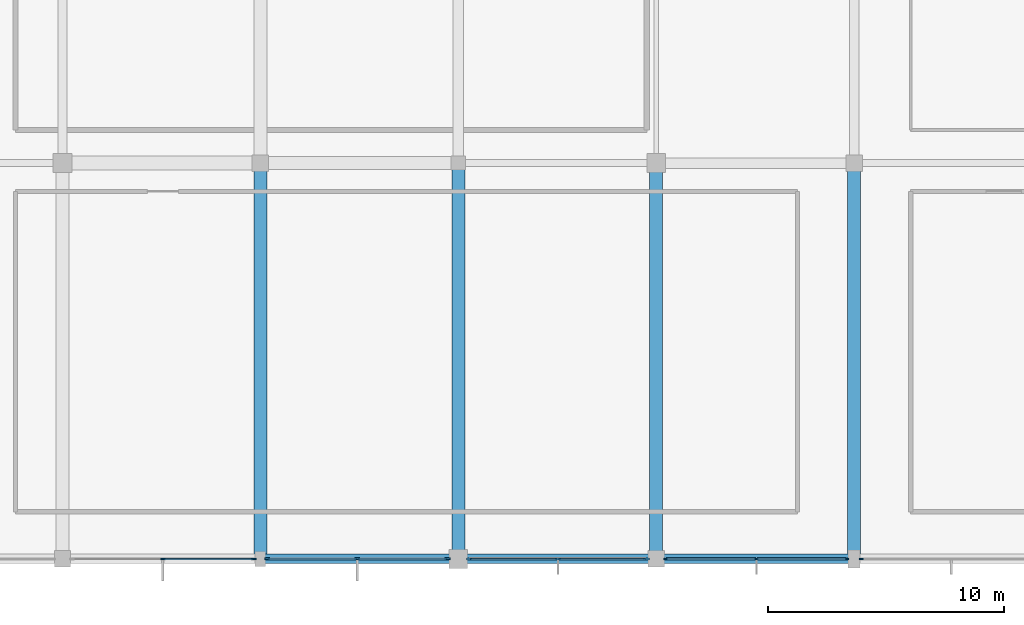
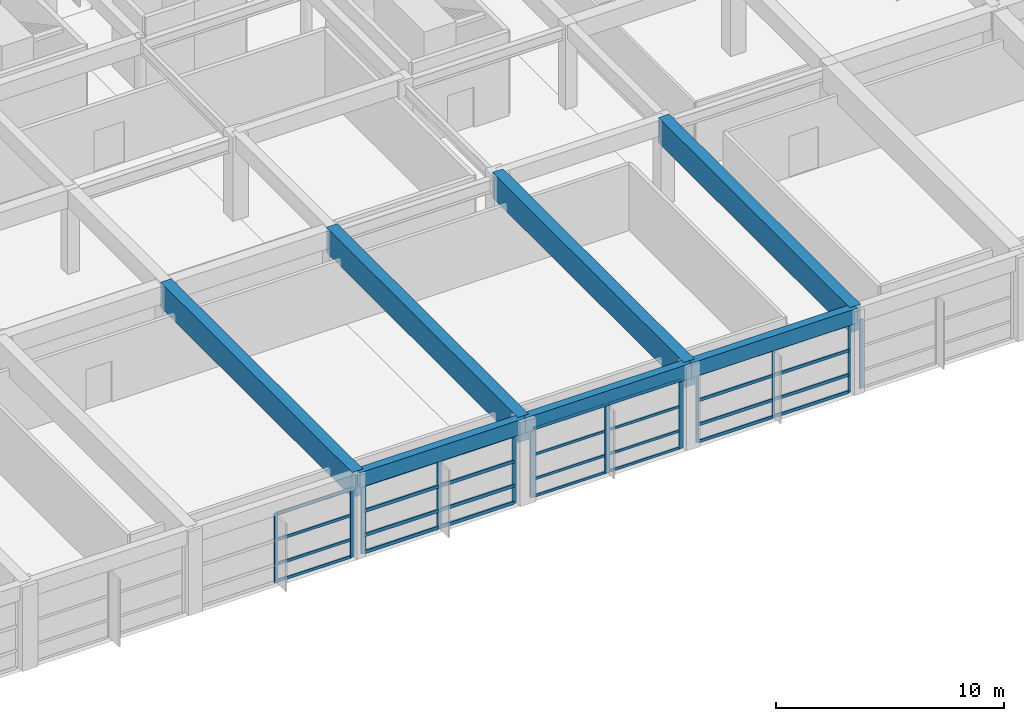
# One storey, part 18 of 65: 40 members, 7 beams, 5 elements without a shape of their own.
"""IFC4 building model written with IfcOpenShell, lengths in metres."""

from ifc_helpers import new_model, si_unit, direction, frame, origin, origin_2d, place, context, subcontext, project, spatial, rectangle, extrude, material, material_profile, profile_set, type_object, element, aggregate, save


model = new_model("IFC4")

# Units and contexts
model_context = context("Model", 3, precision=1e-05, world=origin(), true_north=direction((0.0, 1.0)))
body_context = subcontext(model_context, "Body", "Model", "MODEL_VIEW")
ifc_project = project(units=[si_unit("LENGTHUNIT", "METRE"), si_unit("AREAUNIT", "SQUARE_METRE"), si_unit("VOLUMEUNIT", "CUBIC_METRE"), si_unit("PLANEANGLEUNIT", "RADIAN"), si_unit("MASSUNIT", "GRAM", prefix="KILO")], contexts=[model_context])

# Site, building, storey
site_placement = place(None, origin())
site = spatial("IfcSite", under=ifc_project, at=site_placement, CompositionType="ELEMENT")
building_placement = place(site_placement, origin())
building = spatial("IfcBuilding", under=site, at=building_placement, Name="Xuanlan Plaza Opera House", CompositionType="ELEMENT")
storey_placement = place(building_placement, frame((0.0, 0.0, 5.39990234375)))
storey = spatial("IfcBuildingStorey", under=building, at=storey_placement, Name="L01", CompositionType="ELEMENT", Elevation=5.39990234375)

# Curtain wall, members
ifc_material_1 = material(Name="Anodised Aluminium 6063-T6 and Low-E Glass", Category="aluminium")
curtain_wall_type_1 = type_object("IfcCurtainWallType", Name="ENV-CW-CW-06", PredefinedType="USERDEFINED", material=ifc_material_1)
curtain_wall_1_placement = place(storey_placement, origin())
curtain_wall_1 = element("IfcCurtainWall", 1, at=curtain_wall_1_placement, inside=storey, type_object=curtain_wall_type_1, Name="Acoustic Glazed Wall L01-013", ObjectType="ACOUSTIC GLAZED WALL", PredefinedType="USERDEFINED")
ifc_material_2 = material(Name="Anodised Aluminium 6063-T6", Category="aluminium")
ifc_material_profile_1 = material_profile(ifc_material_2, rectangle(XDim=0.06494140625, YDim=0.159912109375, at=origin_2d()), Name="ALU-M 65x160")
ifc_profile_set_1 = profile_set([ifc_material_profile_1], Name="Anodised Aluminium 6063-T6")
member_type_1 = type_object("IfcMemberType", Name="ENV-CWM-01", PredefinedType="MULLION", material=ifc_profile_set_1)
member_1_placement = place(storey_placement, frame((118.00244140625, 0.0, 0.0), z_axis=(0.0, 0.0, 1.0), x_axis=(0.0, 1.0, 0.0)))
member_1 = element("IfcMember", 2, at=member_1_placement, type_object=member_type_1, Name="CW-06 mullion 1", PredefinedType="MULLION", context=body_context, shape_type="SweptSolid", body=[
    extrude(rectangle(XDim=0.06494140625, YDim=0.159912109375, at=origin_2d()), origin(), (0.0, 0.0, 1.0), 3.68017578125),
])
member_2_placement = place(storey_placement, frame((121.85009765625, 0.0, 0.0), z_axis=(0.0, 0.0, 1.0), x_axis=(0.0, 1.0, 0.0)))
member_2 = element("IfcMember", 3, at=member_2_placement, type_object=member_type_1, Name="CW-06 mullion 2", PredefinedType="MULLION", context=body_context, shape_type="SweptSolid", body=[
    extrude(rectangle(XDim=0.06494140625, YDim=0.159912109375, at=origin_2d()), origin(), (0.0, 0.0, 1.0), 3.68017578125),
])
member_3_placement = place(storey_placement, frame((125.697509765625, 0.0, 0.0), z_axis=(0.0, 0.0, 1.0), x_axis=(0.0, 1.0, 0.0)))
member_3 = element("IfcMember", 4, at=member_3_placement, type_object=member_type_1, Name="CW-06 mullion 3", PredefinedType="MULLION", context=body_context, shape_type="SweptSolid", body=[
    extrude(rectangle(XDim=0.06494140625, YDim=0.159912109375, at=origin_2d()), origin(), (0.0, 0.0, 1.0), 3.68017578125),
])

# Curtain wall, member
curtain_wall_type_2 = type_object("IfcCurtainWallType", Name="ENV-CW-CW-05", PredefinedType="USERDEFINED", material=ifc_material_1)
curtain_wall_2_placement = place(storey_placement, origin())
curtain_wall_2 = element("IfcCurtainWall", 5, at=curtain_wall_2_placement, inside=storey, type_object=curtain_wall_type_2, Name="Acoustic Glazed Wall L01-014", ObjectType="ACOUSTIC GLAZED WALL", PredefinedType="USERDEFINED")
ifc_material_profile_2 = material_profile(ifc_material_2, rectangle(XDim=0.070068359375, YDim=0.179931640625, at=origin_2d()), Name="ALU-M 70x180")
ifc_profile_set_2 = profile_set([ifc_material_profile_2], Name="Anodised Aluminium 6063-T6")
member_type_2 = type_object("IfcMemberType", Name="ENV-CWM-02", PredefinedType="MULLION", material=ifc_profile_set_2)
member_4_placement = place(storey_placement, frame((126.304931640625, 0.0, 0.0), z_axis=(0.0, 0.0, 1.0), x_axis=(0.0, 1.0, 0.0)))
member_4 = element("IfcMember", 6, at=member_4_placement, type_object=member_type_2, Name="CW-05 mullion 1", PredefinedType="MULLION", context=body_context, shape_type="SweptSolid", body=[
    extrude(rectangle(XDim=0.070068359375, YDim=0.179931640625, at=origin_2d()), origin(), (0.0, 0.0, 1.0), 3.68017578125),
])
aggregate(curtain_wall_2, [member_4])

# Curtain wall, members
curtain_wall_3_placement = place(storey_placement, origin())
curtain_wall_3 = element("IfcCurtainWall", 7, at=curtain_wall_3_placement, inside=storey, type_object=curtain_wall_type_2, Name="Acoustic Glazed Wall L01-010", ObjectType="ACOUSTIC GLAZED WALL", PredefinedType="USERDEFINED")
ifc_material_profile_3 = material_profile(ifc_material_2, rectangle(XDim=0.074951171875, YDim=0.199951171875, at=origin_2d()), Name="ALU-M 75x200")
ifc_profile_set_3 = profile_set([ifc_material_profile_3], Name="Anodised Aluminium 6063-T6")
member_type_3 = type_object("IfcMemberType", Name="ENV-CWM-03", PredefinedType="MULLION", material=ifc_profile_set_3)
member_5_placement = place(storey_placement, frame((96.66259765625, 0.0, 0.0), z_axis=(0.0, 0.0, 1.0), x_axis=(0.0, 1.0, 0.0)))
member_5 = element("IfcMember", 8, at=member_5_placement, type_object=member_type_3, Name="CW-05 mullion 2", PredefinedType="MULLION", context=body_context, shape_type="SweptSolid", body=[
    extrude(rectangle(XDim=0.074951171875, YDim=0.199951171875, at=origin_2d()), origin(), (0.0, 0.0, 1.0), 3.68017578125),
])
member_6_placement = place(storey_placement, frame((100.517578125, 0.0, 0.0), z_axis=(0.0, 0.0, 1.0), x_axis=(0.0, 1.0, 0.0)))
member_6 = element("IfcMember", 9, at=member_6_placement, type_object=member_type_3, Name="CW-05 mullion 3", PredefinedType="MULLION", context=body_context, shape_type="SweptSolid", body=[
    extrude(rectangle(XDim=0.074951171875, YDim=0.199951171875, at=origin_2d()), origin(), (0.0, 0.0, 1.0), 3.68017578125),
])

curtain_wall_4_placement = place(storey_placement, origin())
curtain_wall_4 = element("IfcCurtainWall", 10, at=curtain_wall_4_placement, inside=storey, type_object=curtain_wall_type_1, Name="Acoustic Glazed Wall L01-011", ObjectType="ACOUSTIC GLAZED WALL", PredefinedType="USERDEFINED")
ifc_material_profile_4 = material_profile(ifc_material_2, rectangle(XDim=0.080078125, YDim=0.219970703125, at=origin_2d()), Name="ALU-M 80x220")
ifc_profile_set_4 = profile_set([ifc_material_profile_4], Name="Anodised Aluminium 6063-T6")
member_type_4 = type_object("IfcMemberType", Name="ENV-CWM-04", PredefinedType="MULLION", material=ifc_profile_set_4)
member_7_placement = place(storey_placement, frame((101.0849609375, 0.0, 0.0), z_axis=(0.0, 0.0, 1.0), x_axis=(0.0, 1.0, 0.0)))
member_7 = element("IfcMember", 11, at=member_7_placement, type_object=member_type_4, Name="CW-06 mullion 1", PredefinedType="MULLION", context=body_context, shape_type="SweptSolid", body=[
    extrude(rectangle(XDim=0.080078125, YDim=0.219970703125, at=origin_2d()), origin(), (0.0, 0.0, 1.0), 3.68017578125),
])
member_8_placement = place(storey_placement, frame((104.91259765625, 0.0, 0.0), z_axis=(0.0, 0.0, 1.0), x_axis=(0.0, 1.0, 0.0)))
member_8 = element("IfcMember", 12, at=member_8_placement, type_object=member_type_4, Name="CW-06 mullion 2", PredefinedType="MULLION", context=body_context, shape_type="SweptSolid", body=[
    extrude(rectangle(XDim=0.080078125, YDim=0.219970703125, at=origin_2d()), origin(), (0.0, 0.0, 1.0), 3.68017578125),
])
member_9_placement = place(storey_placement, frame((108.739990234375, 0.0, 0.0), z_axis=(0.0, 0.0, 1.0), x_axis=(0.0, 1.0, 0.0)))
member_9 = element("IfcMember", 13, at=member_9_placement, type_object=member_type_4, Name="CW-06 mullion 3", PredefinedType="MULLION", context=body_context, shape_type="SweptSolid", body=[
    extrude(rectangle(XDim=0.080078125, YDim=0.219970703125, at=origin_2d()), origin(), (0.0, 0.0, 1.0), 3.68017578125),
])

curtain_wall_5_placement = place(storey_placement, origin())
curtain_wall_5 = element("IfcCurtainWall", 14, at=curtain_wall_5_placement, inside=storey, type_object=curtain_wall_type_2, Name="Acoustic Glazed Wall L01-012", ObjectType="ACOUSTIC GLAZED WALL", PredefinedType="USERDEFINED")
ifc_material_profile_5 = material_profile(ifc_material_2, rectangle(XDim=0.090087890625, YDim=0.25, at=origin_2d()), Name="ALU-M 90x250")
ifc_profile_set_5 = profile_set([ifc_material_profile_5], Name="Anodised Aluminium 6063-T6")
member_type_5 = type_object("IfcMemberType", Name="ENV-CWM-05", PredefinedType="MULLION", material=ifc_profile_set_5)
member_10_placement = place(storey_placement, frame((109.6650390625, 0.0, 0.0), z_axis=(0.0, 0.0, 1.0), x_axis=(0.0, 1.0, 0.0)))
member_10 = element("IfcMember", 15, at=member_10_placement, type_object=member_type_5, Name="CW-05 mullion 1", PredefinedType="MULLION", context=body_context, shape_type="SweptSolid", body=[
    extrude(rectangle(XDim=0.090087890625, YDim=0.25, at=origin_2d()), origin(), (0.0, 0.0, 1.0), 3.68017578125),
])
member_11_placement = place(storey_placement, frame((113.425048828125, 0.0, 0.0), z_axis=(0.0, 0.0, 1.0), x_axis=(0.0, 1.0, 0.0)))
member_11 = element("IfcMember", 16, at=member_11_placement, type_object=member_type_5, Name="CW-05 mullion 2", PredefinedType="MULLION", context=body_context, shape_type="SweptSolid", body=[
    extrude(rectangle(XDim=0.090087890625, YDim=0.25, at=origin_2d()), origin(), (0.0, 0.0, 1.0), 3.68017578125),
])
member_12_placement = place(storey_placement, frame((117.18505859375, 0.0, 0.0), z_axis=(0.0, 0.0, 1.0), x_axis=(0.0, 1.0, 0.0)))
member_12 = element("IfcMember", 17, at=member_12_placement, type_object=member_type_5, Name="CW-05 mullion 3", PredefinedType="MULLION", context=body_context, shape_type="SweptSolid", body=[
    extrude(rectangle(XDim=0.090087890625, YDim=0.25, at=origin_2d()), origin(), (0.0, 0.0, 1.0), 3.68017578125),
])
ifc_material_profile_6 = material_profile(ifc_material_2, rectangle(XDim=0.070068359375, YDim=0.135009765625, at=origin_2d()), Name="ALU-T 70x135")
ifc_profile_set_6 = profile_set([ifc_material_profile_6], Name="Anodised Aluminium 6063-T6")
member_type_6 = type_object("IfcMemberType", Name="ENV-CWT-02", PredefinedType="USERDEFINED", material=ifc_profile_set_6)
member_13_placement = place(storey_placement, frame((109.7099609375, 0.0, 0.03515625), z_axis=(1.0, 0.0, 0.0), x_axis=(0.0, 1.0, 0.0)))
member_13 = element("IfcMember", 18, at=member_13_placement, type_object=member_type_6, Name="CW-05 transom 1.1", ObjectType="TRANSOM", PredefinedType="USERDEFINED", context=body_context, shape_type="SweptSolid", body=[
    extrude(rectangle(XDim=0.070068359375, YDim=0.135009765625, at=origin_2d()), origin(), (0.0, 0.0, 1.0), 3.669921875),
])
member_14_placement = place(storey_placement, frame((109.7099609375, 0.0, 0.9501953125), z_axis=(1.0, 0.0, 0.0), x_axis=(0.0, 1.0, 0.0)))
member_14 = element("IfcMember", 19, at=member_14_placement, type_object=member_type_6, Name="CW-05 transom 1.2", ObjectType="TRANSOM", PredefinedType="USERDEFINED", context=body_context, shape_type="SweptSolid", body=[
    extrude(rectangle(XDim=0.070068359375, YDim=0.135009765625, at=origin_2d()), origin(), (0.0, 0.0, 1.0), 3.669921875),
])
member_15_placement = place(storey_placement, frame((109.7099609375, 0.0, 2.25), z_axis=(1.0, 0.0, 0.0), x_axis=(0.0, 1.0, 0.0)))
member_15 = element("IfcMember", 20, at=member_15_placement, type_object=member_type_6, Name="CW-05 transom 1.3", ObjectType="TRANSOM", PredefinedType="USERDEFINED", context=body_context, shape_type="SweptSolid", body=[
    extrude(rectangle(XDim=0.070068359375, YDim=0.135009765625, at=origin_2d()), origin(), (0.0, 0.0, 1.0), 3.669921875),
])
member_16_placement = place(storey_placement, frame((109.7099609375, 0.0, 3.64501953125), z_axis=(1.0, 0.0, 0.0), x_axis=(0.0, 1.0, 0.0)))
member_16 = element("IfcMember", 21, at=member_16_placement, type_object=member_type_6, Name="CW-05 transom 1.4", ObjectType="TRANSOM", PredefinedType="USERDEFINED", context=body_context, shape_type="SweptSolid", body=[
    extrude(rectangle(XDim=0.070068359375, YDim=0.135009765625, at=origin_2d()), origin(), (0.0, 0.0, 1.0), 3.669921875),
])
member_17_placement = place(storey_placement, frame((113.469970703125, 0.0, 0.03515625), z_axis=(1.0, 0.0, 0.0), x_axis=(0.0, 1.0, 0.0)))
member_17 = element("IfcMember", 22, at=member_17_placement, type_object=member_type_6, Name="CW-05 transom 2.1", ObjectType="TRANSOM", PredefinedType="USERDEFINED", context=body_context, shape_type="SweptSolid", body=[
    extrude(rectangle(XDim=0.070068359375, YDim=0.135009765625, at=origin_2d()), origin(), (0.0, 0.0, 1.0), 3.669921875),
])
member_18_placement = place(storey_placement, frame((113.469970703125, 0.0, 0.9501953125), z_axis=(1.0, 0.0, 0.0), x_axis=(0.0, 1.0, 0.0)))
member_18 = element("IfcMember", 23, at=member_18_placement, type_object=member_type_6, Name="CW-05 transom 2.2", ObjectType="TRANSOM", PredefinedType="USERDEFINED", context=body_context, shape_type="SweptSolid", body=[
    extrude(rectangle(XDim=0.070068359375, YDim=0.135009765625, at=origin_2d()), origin(), (0.0, 0.0, 1.0), 3.669921875),
])
member_19_placement = place(storey_placement, frame((113.469970703125, 0.0, 2.25), z_axis=(1.0, 0.0, 0.0), x_axis=(0.0, 1.0, 0.0)))
member_19 = element("IfcMember", 24, at=member_19_placement, type_object=member_type_6, Name="CW-05 transom 2.3", ObjectType="TRANSOM", PredefinedType="USERDEFINED", context=body_context, shape_type="SweptSolid", body=[
    extrude(rectangle(XDim=0.070068359375, YDim=0.135009765625, at=origin_2d()), origin(), (0.0, 0.0, 1.0), 3.669921875),
])
member_20_placement = place(storey_placement, frame((113.469970703125, 0.0, 3.64501953125), z_axis=(1.0, 0.0, 0.0), x_axis=(0.0, 1.0, 0.0)))
member_20 = element("IfcMember", 25, at=member_20_placement, type_object=member_type_6, Name="CW-05 transom 2.4", ObjectType="TRANSOM", PredefinedType="USERDEFINED", context=body_context, shape_type="SweptSolid", body=[
    extrude(rectangle(XDim=0.070068359375, YDim=0.135009765625, at=origin_2d()), origin(), (0.0, 0.0, 1.0), 3.669921875),
])
aggregate(curtain_wall_5, [member_10, member_11, member_12, member_13, member_14, member_15, member_16, member_17, member_18, member_19, member_20])

# Member
ifc_material_profile_7 = material_profile(ifc_material_2, rectangle(XDim=0.074951171875, YDim=0.14990234375, at=origin_2d()), Name="ALU-T 75x150")
ifc_profile_set_7 = profile_set([ifc_material_profile_7], Name="Anodised Aluminium 6063-T6")
member_type_7 = type_object("IfcMemberType", Name="ENV-CWT-03", PredefinedType="USERDEFINED", material=ifc_profile_set_7)
member_21_placement = place(storey_placement, frame((96.699951171875, 0.0, 0.03759765625), z_axis=(1.0, 0.0, 0.0), x_axis=(0.0, 1.0, 0.0)))
member_21 = element("IfcMember", 26, at=member_21_placement, type_object=member_type_7, Name="CW-05 transom 2.1", ObjectType="TRANSOM", PredefinedType="USERDEFINED", context=body_context, shape_type="SweptSolid", body=[
    extrude(rectangle(XDim=0.074951171875, YDim=0.14990234375, at=origin_2d()), origin(), (0.0, 0.0, 1.0), 3.780029296875),
])

member_22_placement = place(storey_placement, frame((96.699951171875, 0.0, 0.9501953125), z_axis=(1.0, 0.0, 0.0), x_axis=(0.0, 1.0, 0.0)))
member_22 = element("IfcMember", 27, at=member_22_placement, type_object=member_type_7, Name="CW-05 transom 2.2", ObjectType="TRANSOM", PredefinedType="USERDEFINED", context=body_context, shape_type="SweptSolid", body=[
    extrude(rectangle(XDim=0.074951171875, YDim=0.14990234375, at=origin_2d()), origin(), (0.0, 0.0, 1.0), 3.780029296875),
])

member_23_placement = place(storey_placement, frame((96.699951171875, 0.0, 2.25), z_axis=(1.0, 0.0, 0.0), x_axis=(0.0, 1.0, 0.0)))
member_23 = element("IfcMember", 28, at=member_23_placement, type_object=member_type_7, Name="CW-05 transom 2.3", ObjectType="TRANSOM", PredefinedType="USERDEFINED", context=body_context, shape_type="SweptSolid", body=[
    extrude(rectangle(XDim=0.074951171875, YDim=0.14990234375, at=origin_2d()), origin(), (0.0, 0.0, 1.0), 3.780029296875),
])

member_24_placement = place(storey_placement, frame((96.699951171875, 0.0, 3.642578125), z_axis=(1.0, 0.0, 0.0), x_axis=(0.0, 1.0, 0.0)))
member_24 = element("IfcMember", 29, at=member_24_placement, type_object=member_type_7, Name="CW-05 transom 2.4", ObjectType="TRANSOM", PredefinedType="USERDEFINED", context=body_context, shape_type="SweptSolid", body=[
    extrude(rectangle(XDim=0.074951171875, YDim=0.14990234375, at=origin_2d()), origin(), (0.0, 0.0, 1.0), 3.780029296875),
])

aggregate(curtain_wall_3, [member_5, member_6, member_21, member_22, member_23, member_24])

ifc_material_profile_8 = material_profile(ifc_material_2, rectangle(XDim=0.080078125, YDim=0.1650390625, at=origin_2d()), Name="ALU-T 80x165")
ifc_profile_set_8 = profile_set([ifc_material_profile_8], Name="Anodised Aluminium 6063-T6")
member_type_8 = type_object("IfcMemberType", Name="ENV-CWT-04", PredefinedType="USERDEFINED", material=ifc_profile_set_8)
member_25_placement = place(storey_placement, frame((118.034912109375, 0.0, 0.0400390625), z_axis=(1.0, 0.0, 0.0), x_axis=(0.0, 1.0, 0.0)))
member_25 = element("IfcMember", 30, at=member_25_placement, type_object=member_type_8, Name="CW-06 transom 1.1", ObjectType="TRANSOM", PredefinedType="USERDEFINED", context=body_context, shape_type="SweptSolid", body=[
    extrude(rectangle(XDim=0.080078125, YDim=0.1650390625, at=origin_2d()), origin(), (0.0, 0.0, 1.0), 3.782470703125),
])

member_26_placement = place(storey_placement, frame((118.034912109375, 0.0, 0.9501953125), z_axis=(1.0, 0.0, 0.0), x_axis=(0.0, 1.0, 0.0)))
member_26 = element("IfcMember", 31, at=member_26_placement, type_object=member_type_8, Name="CW-06 transom 1.2", ObjectType="TRANSOM", PredefinedType="USERDEFINED", context=body_context, shape_type="SweptSolid", body=[
    extrude(rectangle(XDim=0.080078125, YDim=0.1650390625, at=origin_2d()), origin(), (0.0, 0.0, 1.0), 3.782470703125),
])

member_27_placement = place(storey_placement, frame((118.034912109375, 0.0, 2.25), z_axis=(1.0, 0.0, 0.0), x_axis=(0.0, 1.0, 0.0)))
member_27 = element("IfcMember", 32, at=member_27_placement, type_object=member_type_8, Name="CW-06 transom 1.3", ObjectType="TRANSOM", PredefinedType="USERDEFINED", context=body_context, shape_type="SweptSolid", body=[
    extrude(rectangle(XDim=0.080078125, YDim=0.1650390625, at=origin_2d()), origin(), (0.0, 0.0, 1.0), 3.782470703125),
])

member_28_placement = place(storey_placement, frame((118.034912109375, 0.0, 3.64013671875), z_axis=(1.0, 0.0, 0.0), x_axis=(0.0, 1.0, 0.0)))
member_28 = element("IfcMember", 33, at=member_28_placement, type_object=member_type_8, Name="CW-06 transom 1.4", ObjectType="TRANSOM", PredefinedType="USERDEFINED", context=body_context, shape_type="SweptSolid", body=[
    extrude(rectangle(XDim=0.080078125, YDim=0.1650390625, at=origin_2d()), origin(), (0.0, 0.0, 1.0), 3.782470703125),
])

member_29_placement = place(storey_placement, frame((121.882568359375, 0.0, 0.0400390625), z_axis=(1.0, 0.0, 0.0), x_axis=(0.0, 1.0, 0.0)))
member_29 = element("IfcMember", 34, at=member_29_placement, type_object=member_type_8, Name="CW-06 transom 2.1", ObjectType="TRANSOM", PredefinedType="USERDEFINED", context=body_context, shape_type="SweptSolid", body=[
    extrude(rectangle(XDim=0.080078125, YDim=0.1650390625, at=origin_2d()), origin(), (0.0, 0.0, 1.0), 3.782470703125),
])

member_30_placement = place(storey_placement, frame((121.882568359375, 0.0, 0.9501953125), z_axis=(1.0, 0.0, 0.0), x_axis=(0.0, 1.0, 0.0)))
member_30 = element("IfcMember", 35, at=member_30_placement, type_object=member_type_8, Name="CW-06 transom 2.2", ObjectType="TRANSOM", PredefinedType="USERDEFINED", context=body_context, shape_type="SweptSolid", body=[
    extrude(rectangle(XDim=0.080078125, YDim=0.1650390625, at=origin_2d()), origin(), (0.0, 0.0, 1.0), 3.782470703125),
])

member_31_placement = place(storey_placement, frame((121.882568359375, 0.0, 2.25), z_axis=(1.0, 0.0, 0.0), x_axis=(0.0, 1.0, 0.0)))
member_31 = element("IfcMember", 36, at=member_31_placement, type_object=member_type_8, Name="CW-06 transom 2.3", ObjectType="TRANSOM", PredefinedType="USERDEFINED", context=body_context, shape_type="SweptSolid", body=[
    extrude(rectangle(XDim=0.080078125, YDim=0.1650390625, at=origin_2d()), origin(), (0.0, 0.0, 1.0), 3.782470703125),
])

member_32_placement = place(storey_placement, frame((121.882568359375, 0.0, 3.64013671875), z_axis=(1.0, 0.0, 0.0), x_axis=(0.0, 1.0, 0.0)))
member_32 = element("IfcMember", 37, at=member_32_placement, type_object=member_type_8, Name="CW-06 transom 2.4", ObjectType="TRANSOM", PredefinedType="USERDEFINED", context=body_context, shape_type="SweptSolid", body=[
    extrude(rectangle(XDim=0.080078125, YDim=0.1650390625, at=origin_2d()), origin(), (0.0, 0.0, 1.0), 3.782470703125),
])

aggregate(curtain_wall_1, [member_1, member_2, member_3, member_25, member_26, member_27, member_28, member_29, member_30, member_31, member_32])

ifc_material_profile_9 = material_profile(ifc_material_2, rectangle(XDim=0.090087890625, YDim=0.179931640625, at=origin_2d()), Name="ALU-T 90x180")
ifc_profile_set_9 = profile_set([ifc_material_profile_9], Name="Anodised Aluminium 6063-T6")
member_type_9 = type_object("IfcMemberType", Name="ENV-CWT-05", PredefinedType="USERDEFINED", material=ifc_profile_set_9)
member_33_placement = place(storey_placement, frame((101.125, 0.0, 0.045166015625), z_axis=(1.0, 0.0, 0.0), x_axis=(0.0, 1.0, 0.0)))
member_33 = element("IfcMember", 38, at=member_33_placement, type_object=member_type_9, Name="CW-06 transom 1.1", ObjectType="TRANSOM", PredefinedType="USERDEFINED", context=body_context, shape_type="SweptSolid", body=[
    extrude(rectangle(XDim=0.090087890625, YDim=0.179931640625, at=origin_2d()), origin(), (0.0, 0.0, 1.0), 3.74755859375),
])

member_34_placement = place(storey_placement, frame((101.125, 0.0, 0.9501953125), z_axis=(1.0, 0.0, 0.0), x_axis=(0.0, 1.0, 0.0)))
member_34 = element("IfcMember", 39, at=member_34_placement, type_object=member_type_9, Name="CW-06 transom 1.2", ObjectType="TRANSOM", PredefinedType="USERDEFINED", context=body_context, shape_type="SweptSolid", body=[
    extrude(rectangle(XDim=0.090087890625, YDim=0.179931640625, at=origin_2d()), origin(), (0.0, 0.0, 1.0), 3.74755859375),
])

member_35_placement = place(storey_placement, frame((101.125, 0.0, 2.25), z_axis=(1.0, 0.0, 0.0), x_axis=(0.0, 1.0, 0.0)))
member_35 = element("IfcMember", 40, at=member_35_placement, type_object=member_type_9, Name="CW-06 transom 1.3", ObjectType="TRANSOM", PredefinedType="USERDEFINED", context=body_context, shape_type="SweptSolid", body=[
    extrude(rectangle(XDim=0.090087890625, YDim=0.179931640625, at=origin_2d()), origin(), (0.0, 0.0, 1.0), 3.74755859375),
])

member_36_placement = place(storey_placement, frame((101.125, 0.0, 3.635009765625), z_axis=(1.0, 0.0, 0.0), x_axis=(0.0, 1.0, 0.0)))
member_36 = element("IfcMember", 41, at=member_36_placement, type_object=member_type_9, Name="CW-06 transom 1.4", ObjectType="TRANSOM", PredefinedType="USERDEFINED", context=body_context, shape_type="SweptSolid", body=[
    extrude(rectangle(XDim=0.090087890625, YDim=0.179931640625, at=origin_2d()), origin(), (0.0, 0.0, 1.0), 3.74755859375),
])

member_37_placement = place(storey_placement, frame((104.952392578125, 0.0, 0.045166015625), z_axis=(1.0, 0.0, 0.0), x_axis=(0.0, 1.0, 0.0)))
member_37 = element("IfcMember", 42, at=member_37_placement, type_object=member_type_9, Name="CW-06 transom 2.1", ObjectType="TRANSOM", PredefinedType="USERDEFINED", context=body_context, shape_type="SweptSolid", body=[
    extrude(rectangle(XDim=0.090087890625, YDim=0.179931640625, at=origin_2d()), origin(), (0.0, 0.0, 1.0), 3.74755859375),
])

member_38_placement = place(storey_placement, frame((104.952392578125, 0.0, 0.9501953125), z_axis=(1.0, 0.0, 0.0), x_axis=(0.0, 1.0, 0.0)))
member_38 = element("IfcMember", 43, at=member_38_placement, type_object=member_type_9, Name="CW-06 transom 2.2", ObjectType="TRANSOM", PredefinedType="USERDEFINED", context=body_context, shape_type="SweptSolid", body=[
    extrude(rectangle(XDim=0.090087890625, YDim=0.179931640625, at=origin_2d()), origin(), (0.0, 0.0, 1.0), 3.74755859375),
])

member_39_placement = place(storey_placement, frame((104.952392578125, 0.0, 2.25), z_axis=(1.0, 0.0, 0.0), x_axis=(0.0, 1.0, 0.0)))
member_39 = element("IfcMember", 44, at=member_39_placement, type_object=member_type_9, Name="CW-06 transom 2.3", ObjectType="TRANSOM", PredefinedType="USERDEFINED", context=body_context, shape_type="SweptSolid", body=[
    extrude(rectangle(XDim=0.090087890625, YDim=0.179931640625, at=origin_2d()), origin(), (0.0, 0.0, 1.0), 3.74755859375),
])

member_40_placement = place(storey_placement, frame((104.952392578125, 0.0, 3.635009765625), z_axis=(1.0, 0.0, 0.0), x_axis=(0.0, 1.0, 0.0)))
member_40 = element("IfcMember", 45, at=member_40_placement, type_object=member_type_9, Name="CW-06 transom 2.4", ObjectType="TRANSOM", PredefinedType="USERDEFINED", context=body_context, shape_type="SweptSolid", body=[
    extrude(rectangle(XDim=0.090087890625, YDim=0.179931640625, at=origin_2d()), origin(), (0.0, 0.0, 1.0), 3.74755859375),
])

aggregate(curtain_wall_4, [member_7, member_8, member_9, member_33, member_34, member_35, member_36, member_37, member_38, member_39, member_40])

# Beams
ifc_material_3 = material(Name="Concrete C50", Category="concrete")
ifc_material_profile_10 = material_profile(ifc_material_3, rectangle(XDim=0.550048828125, YDim=1.35009765625, at=origin_2d()), Name="RC-SPD 550x1350")
ifc_profile_set_10 = profile_set([ifc_material_profile_10], Name="Concrete C50")
beam_type_1 = type_object("IfcBeamType", Name="STR-BM-LG-SP1", PredefinedType="SPANDREL", material=ifc_profile_set_10)
for number, where, z_axis, x_axis, name in (
    (46, (100.800048828125, 0.0, 3.8251953125), (0.0, 1.0, 0.0), (-1.0, 0.0, 0.0), "Grid Beam Y L01 13/A-C"),
    (47, (109.199951171875, 0.0, 3.8251953125), (0.0, 1.0, 0.0), (-1.0, 0.0, 0.0), "Grid Beam Y L01 14/A-C"),
    (48, (117.60009765625, 0.0, 3.8251953125), (0.0, 1.0, 0.0), (-1.0, 0.0, 0.0), "Grid Beam Y L01 15/A-C"),
    (49, (126.0, 0.0, 3.8251953125), (0.0, 1.0, 0.0), (-1.0, 0.0, 0.0), "Grid Beam Y L01 16/A-C"),
):
    element("IfcBeam", number, at=place(storey_placement, frame(where, z_axis=z_axis, x_axis=x_axis)), inside=storey, type_object=beam_type_1, Name=name, PredefinedType="SPANDREL", context=body_context, shape_type="SweptSolid", body=[
        extrude(rectangle(XDim=0.550048828125, YDim=1.35009765625, at=origin_2d()), origin(), (0.0, 0.0, 1.0), 16.800048828125),
    ])
ifc_material_4 = material(Name="Concrete C40", Category="concrete")
ifc_material_profile_11 = material_profile(ifc_material_4, rectangle(XDim=0.39990234375, YDim=0.800048828125, at=origin_2d()), Name="RC-SPD 400x800")
ifc_profile_set_11 = profile_set([ifc_material_profile_11], Name="Concrete C40")
beam_type_2 = type_object("IfcBeamType", Name="STR-BM-SP-01", PredefinedType="SPANDREL", material=ifc_profile_set_11)
beam_1_placement = place(storey_placement, frame((100.800048828125, 0.0, 4.10009765625), z_axis=(1.0, 0.0, 0.0), x_axis=(0.0, 1.0, 0.0)))
element("IfcBeam", 50, at=beam_1_placement, inside=storey, type_object=beam_type_2, Name="Grid Beam X L01 13-14/A", PredefinedType="SPANDREL", context=body_context, shape_type="SweptSolid", body=[
    extrude(rectangle(XDim=0.39990234375, YDim=0.800048828125, at=origin_2d()), origin(), (0.0, 0.0, 1.0), 8.39990234375),
])
beam_2_placement = place(storey_placement, frame((109.199951171875, 0.0, 4.10009765625), z_axis=(1.0, 0.0, 0.0), x_axis=(0.0, 1.0, 0.0)))
element("IfcBeam", 51, at=beam_2_placement, inside=storey, type_object=beam_type_2, Name="Grid Beam X L01 14-15/A", PredefinedType="SPANDREL", context=body_context, shape_type="SweptSolid", body=[
    extrude(rectangle(XDim=0.39990234375, YDim=0.800048828125, at=origin_2d()), origin(), (0.0, 0.0, 1.0), 8.400146484375),
])
beam_3_placement = place(storey_placement, frame((117.60009765625, 0.0, 4.10009765625), z_axis=(1.0, 0.0, 0.0), x_axis=(0.0, 1.0, 0.0)))
element("IfcBeam", 52, at=beam_3_placement, inside=storey, type_object=beam_type_2, Name="Grid Beam X L01 15-16/A", PredefinedType="SPANDREL", context=body_context, shape_type="SweptSolid", body=[
    extrude(rectangle(XDim=0.39990234375, YDim=0.800048828125, at=origin_2d()), origin(), (0.0, 0.0, 1.0), 8.39990234375),
])

save(model, "model.ifc")
